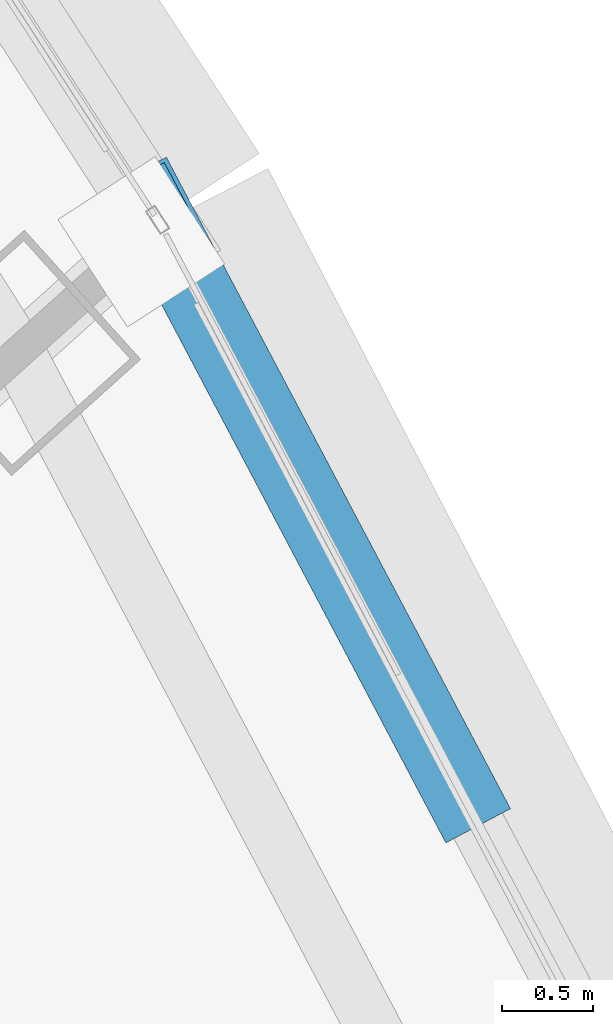
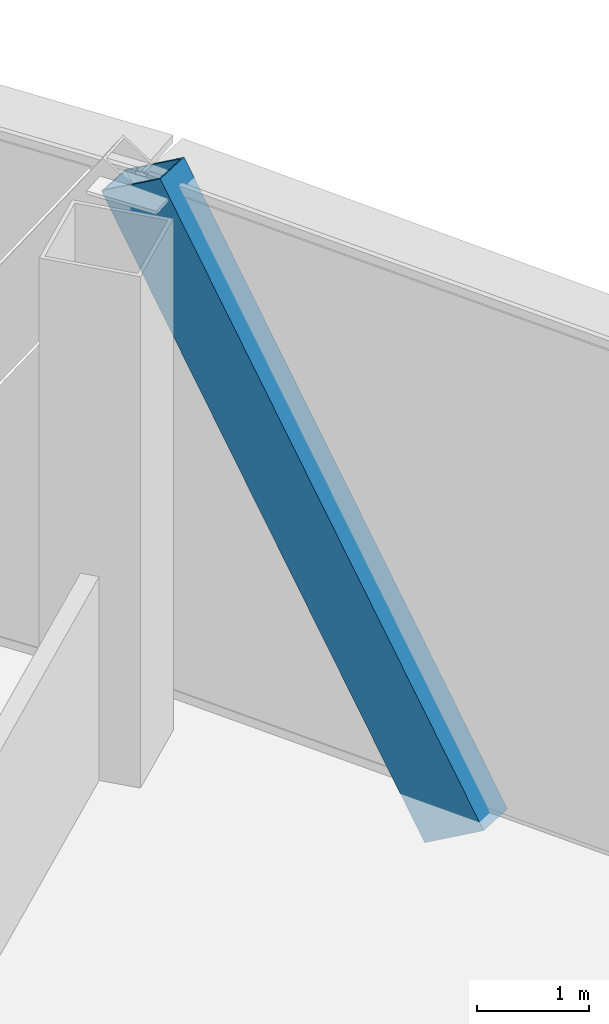
# One storey, part 29 of 40: 1 member.
"""IFC4 building model written with IfcOpenShell, lengths in metres."""

import ifcopenshell
import ifcopenshell.guid

model = None  # the IFC model being written
_history = None  # IfcOwnerHistory: only IFC2X3 demands one
_inside = {}  # id of a spatial element -> (the spatial element, [elements in it])
_under = {}  # id of a project, library or spatial element -> (it, [spatial elements below it])
_declared = {}  # id of a project -> (the project, [libraries it declares])
_typed = {}  # id of a type object -> (the type object, [elements of that type])
_made_of = {}  # id of a material, layer set ... -> (it, [elements and type objects made of it])


def new_model(schema):
    """Start an empty IFC model of exactly this schema.

    Asked for "IFC4X3", IfcOpenShell would pick the latest addendum, in which some entities
    have other attributes; the version numbers below select the first issue.
    IFC2X3 requires an IfcOwnerHistory on every rooted entity: one is made here for all.
    """
    global model, _history
    if schema == "IFC4X3":
        model = ifcopenshell.file(schema_version=(4, 3, 0, 0))
    else:
        model = ifcopenshell.file(schema=schema)
    _inside.clear()
    _under.clear()
    _declared.clear()
    _typed.clear()
    _made_of.clear()
    _history = None
    if model.schema == "IFC2X3":
        org = make("IfcOrganization", Name="unknown")
        user = make(
            "IfcPersonAndOrganization",
            ThePerson=make("IfcPerson", FamilyName="unknown"),
            TheOrganization=org,
        )
        app = make(
            "IfcApplication",
            ApplicationDeveloper=org,
            Version="unknown",
            ApplicationFullName="unknown",
            ApplicationIdentifier="unknown",
        )
        _history = make(
            "IfcOwnerHistory",
            OwningUser=user,
            OwningApplication=app,
            ChangeAction="ADDED",
            CreationDate=0,
        )
    return model


def make(cls, **values):
    """One entity of the class cls with the attributes given. An attribute that is None is left unset."""
    return model.create_entity(
        cls, **{name: value for name, value in values.items() if value is not None}
    )


def rooted(cls, **values):
    """An entity with a GlobalId (a new one), such as an element, a storey or a relation."""
    return make(cls, GlobalId=ifcopenshell.guid.new(), OwnerHistory=_history, **values)


def si_unit(unit_type, name, prefix=None):
    """IfcSIUnit, for example si_unit("LENGTHUNIT", "METRE", prefix="MILLI")."""
    return make("IfcSIUnit", UnitType=unit_type, Prefix=prefix, Name=name)


def assignment(units):
    """IfcUnitAssignment: the units of a project."""
    return None if units is None else make("IfcUnitAssignment", Units=units)


def point(xyz):
    """IfcCartesianPoint."""
    return None if xyz is None else make("IfcCartesianPoint", Coordinates=xyz)


def direction(xyz):
    """IfcDirection."""
    return None if xyz is None else make("IfcDirection", DirectionRatios=xyz)


def frame(location, z_axis=None, x_axis=None):
    """IfcAxis2Placement3D, a coordinate frame: its origin and axes. An axis left out is left unset."""
    return make(
        "IfcAxis2Placement3D",
        Location=point(location),
        Axis=direction(z_axis),
        RefDirection=direction(x_axis),
    )


def frame_2d(location, x_axis=None):
    """IfcAxis2Placement2D, a coordinate frame in the plane: its origin and x axis."""
    return make(
        "IfcAxis2Placement2D", Location=point(location), RefDirection=direction(x_axis)
    )


def origin():
    """The frame at (0, 0, 0) with its axes left unset."""
    return frame((0.0, 0.0, 0.0))


def origin_2d():
    """The frame at (0, 0) in the plane with its x axis left unset."""
    return frame_2d((0.0, 0.0))


def place(relative_to, where):
    """IfcLocalPlacement: puts the frame where relative to a parent placement (None: the world)."""
    return make(
        "IfcLocalPlacement", PlacementRelTo=relative_to, RelativePlacement=where
    )


def context(
    kind, dimensions, precision=None, world=None, true_north=None, identifier=None
):
    """IfcGeometricRepresentationContext, for example the 3D "Model" context."""
    return make(
        "IfcGeometricRepresentationContext",
        ContextIdentifier=identifier,
        ContextType=kind,
        CoordinateSpaceDimension=dimensions,
        Precision=precision,
        WorldCoordinateSystem=world,
        TrueNorth=true_north,
    )


def subcontext(parent, identifier, kind, view, scale=None):
    """IfcGeometricRepresentationSubContext, for example "Body" below "Model"."""
    return make(
        "IfcGeometricRepresentationSubContext",
        ContextIdentifier=identifier,
        ContextType=kind,
        ParentContext=parent,
        TargetScale=scale,
        TargetView=view,
    )


def project(units=None, contexts=None):
    """IfcProject with its units and contexts."""
    return rooted(
        "IfcProject",
        Name="project",
        RepresentationContexts=contexts,
        UnitsInContext=assignment(units),
    )


def spatial(cls, under=None, at=None, **own):
    """A site, building, storey or space (cls), placed at a placement, below another one or the project."""
    s = rooted(cls, ObjectPlacement=at, **own)
    if under is not None:
        _under.setdefault(under.id(), (under, []))[1].append(s)
    return s


def profile(cls, at=None, kind="AREA", **sizes):
    """A parametric profile (cls). Its sizes go by their IFC names, for example OverallWidth=200.0."""
    return make(cls, ProfileType=kind, Position=at, **sizes)


def hollow_rectangle(**sizes):
    """IfcRectangleHollowProfileDef."""
    return profile("IfcRectangleHollowProfileDef", **sizes)


def extrude(swept, where, along, depth):
    """IfcExtrudedAreaSolid: the profile swept, set in the frame where, extruded along a direction by depth."""
    return make(
        "IfcExtrudedAreaSolid",
        SweptArea=swept,
        Position=where,
        ExtrudedDirection=direction(along),
        Depth=depth,
    )


def shape(context_of_items, identifier, shape_type, items):
    """IfcShapeRepresentation: the items that make up one representation, for example the "Body"."""
    return make(
        "IfcShapeRepresentation",
        ContextOfItems=context_of_items,
        RepresentationIdentifier=identifier,
        RepresentationType=shape_type,
        Items=items,
    )


def source(mapping_origin, context_of_items, identifier, shape_type, items):
    """IfcRepresentationMap: a shape defined once, which mapped items show again and again."""
    return make(
        "IfcRepresentationMap",
        MappingOrigin=mapping_origin,
        MappedRepresentation=shape(context_of_items, identifier, shape_type, items),
    )


def transform(
    local_origin,
    x_axis=None,
    y_axis=None,
    z_axis=None,
    scale=None,
    scale2=None,
    scale3=None,
    uniform=True,
):
    """IfcCartesianTransformationOperator3D, or its non-uniform kind. x_axis, y_axis, z_axis: its Axis1, 2, 3."""
    if uniform:
        return make(
            "IfcCartesianTransformationOperator3D",
            Axis1=direction(x_axis),
            Axis2=direction(y_axis),
            LocalOrigin=point(local_origin),
            Scale=scale,
            Axis3=direction(z_axis),
        )
    return make(
        "IfcCartesianTransformationOperator3DnonUniform",
        Axis1=direction(x_axis),
        Axis2=direction(y_axis),
        LocalOrigin=point(local_origin),
        Scale=scale,
        Axis3=direction(z_axis),
        Scale2=scale2,
        Scale3=scale3,
    )


def mapped(mapping_source, mapping_target):
    """IfcMappedItem: shows the shape of a source again, moved by a transform."""
    return make(
        "IfcMappedItem", MappingSource=mapping_source, MappingTarget=mapping_target
    )


def material(Name=None, Category=None):
    """IfcMaterial."""
    return make("IfcMaterial", Name=Name, Category=Category)


def material_profile(
    of_material, cross_section, Name=None, Category=None, Priority=None
):
    """IfcMaterialProfile: a cross section and its material."""
    return make(
        "IfcMaterialProfile",
        Name=Name,
        Material=of_material,
        Profile=cross_section,
        Priority=Priority,
        Category=Category,
    )


def profile_set(profiles, Name=None, composite=None):
    """IfcMaterialProfileSet."""
    return make(
        "IfcMaterialProfileSet",
        Name=Name,
        MaterialProfiles=profiles,
        CompositeProfile=composite,
    )


def made_of(thing, what):
    """Note that an element or type object is made of a material, layer set ...; save() writes the relation."""
    if what is not None:
        _made_of.setdefault(what.id(), (what, []))[1].append(thing)
    return thing


def type_object(cls, material=None, **own):
    """A type object (cls), such as IfcWallType, which elements share."""
    return made_of(rooted(cls, **own), material)


def element(
    cls,
    number,
    at=None,
    inside=None,
    cuts=None,
    type_object=None,
    material=None,
    context=None,
    identifier="Body",
    shape_type=None,
    held_by="IfcProductDefinitionShape",
    body=None,
    shapes=None,
    **own,
):
    """One element of the class cls, such as IfcWall. Its Tag is "e" and its number.

    at: its placement. inside: the storey or other place that contains it. cuts: it is an
    opening in that element (IfcRelVoidsElement). A single representation is given by context,
    identifier, shape_type and body (its items); several are given by shapes. held_by: the class
    of the entity that holds the representations. save() writes the other relations.
    """
    e = rooted(cls, Tag="e%d" % number, ObjectPlacement=at, **own)
    if body is not None:
        shapes = [shape(context, identifier, shape_type, body)]
    if shapes is not None:
        e.Representation = make(held_by, Representations=shapes)
    if inside is not None:
        _inside.setdefault(inside.id(), (inside, []))[1].append(e)
    if cuts is not None:
        rooted(
            "IfcRelVoidsElement", RelatingBuildingElement=cuts, RelatedOpeningElement=e
        )
    if type_object is not None:
        _typed.setdefault(type_object.id(), (type_object, []))[1].append(e)
    return made_of(e, material)


def aggregate(whole, parts):
    """IfcRelAggregates: a whole, such as a stair, and the parts it consists of."""
    return rooted("IfcRelAggregates", RelatingObject=whole, RelatedObjects=parts)


def save(model, path):
    """Write the relations noted so far, then the file.

    IfcRelAggregates (storeys below a building ...), IfcRelContainedInSpatialStructure (elements
    in a storey), IfcRelDefinesByType, IfcRelAssociatesMaterial and IfcRelDeclares: one each for
    every whole, place, type object, material and project.
    """
    for whole, parts in _under.values():
        aggregate(whole, parts)
    for where, things in _inside.values():
        rooted(
            "IfcRelContainedInSpatialStructure",
            RelatedElements=things,
            RelatingStructure=where,
        )
    for kind, things in _typed.values():
        rooted("IfcRelDefinesByType", RelatedObjects=things, RelatingType=kind)
    for what, things in _made_of.values():
        rooted("IfcRelAssociatesMaterial", RelatedObjects=things, RelatingMaterial=what)
    for by, libraries in _declared.values():
        rooted("IfcRelDeclares", RelatingContext=by, RelatedDefinitions=libraries)
    model.write(path)


model = new_model("IFC4")

# Units and contexts
model_context = context("Model", 3, precision=1e-05, world=origin(), true_north=direction((0.0, 1.0)))
body_context = subcontext(model_context, "Body", "Model", "MODEL_VIEW")
ifc_project = project(units=[si_unit("LENGTHUNIT", "METRE"), si_unit("AREAUNIT", "SQUARE_METRE"), si_unit("VOLUMEUNIT", "CUBIC_METRE"), si_unit("PLANEANGLEUNIT", "RADIAN"), si_unit("MASSUNIT", "GRAM", prefix="KILO"), si_unit("THERMODYNAMICTEMPERATUREUNIT", "KELVIN"), si_unit("POWERUNIT", "WATT")], contexts=[model_context])

# Site, building, storey
site_placement = place(None, origin())
site = spatial("IfcSite", under=ifc_project, at=site_placement, CompositionType="ELEMENT")
building_placement = place(site_placement, origin())
building = spatial("IfcBuilding", under=site, at=building_placement, Name="Yunzhuo Pagoda Commons", CompositionType="ELEMENT")
storey_placement = place(building_placement, frame((0.0, 0.0, 170.31005859375)))
storey = spatial("IfcBuildingStorey", under=building, at=storey_placement, Name="L43", CompositionType="ELEMENT", Elevation=170.31005859375)

# Member
ifc_material = material(Name="Structural steel Q355B", Category="steel")
ifc_material_profile = material_profile(ifc_material, hollow_rectangle(XDim=0.39990234375, YDim=0.719970703125, WallThickness=0.02392578125, at=origin_2d()), Name="Structural steel Q355B")
ifc_profile_set = profile_set([ifc_material_profile], Name="Structural steel Q355B")
member_type = type_object("IfcMemberType", Name="M-DL2 Brace BOX 720x400x24", PredefinedType="BRACE", material=ifc_profile_set)
shared_shape = source(origin(), body_context, "Body", "SweptSolid", [
    extrude(hollow_rectangle(XDim=0.39990234375, YDim=0.719970703125, WallThickness=0.02392578125, at=origin_2d()), origin(), (0.0, 0.0, 1.0), 6.753173828125),
])
member_placement = place(storey_placement, frame((74.13818359375, 52.78759765625, -0.260009765625), z_axis=(-0.23570941369, 0.446329512487, 0.863267651764), x_axis=(-0.884264817912, -0.466985794005, 0.0)))
element("IfcMember", 1, at=member_placement, inside=storey, type_object=member_type, Name="L43 facade diamond brace F2.2R", PredefinedType="BRACE", context=body_context, shape_type="MappedRepresentation", body=[
    mapped(shared_shape, transform((0.0, 0.0, 0.0), scale=1.0)),
])

save(model, "model.ifc")
